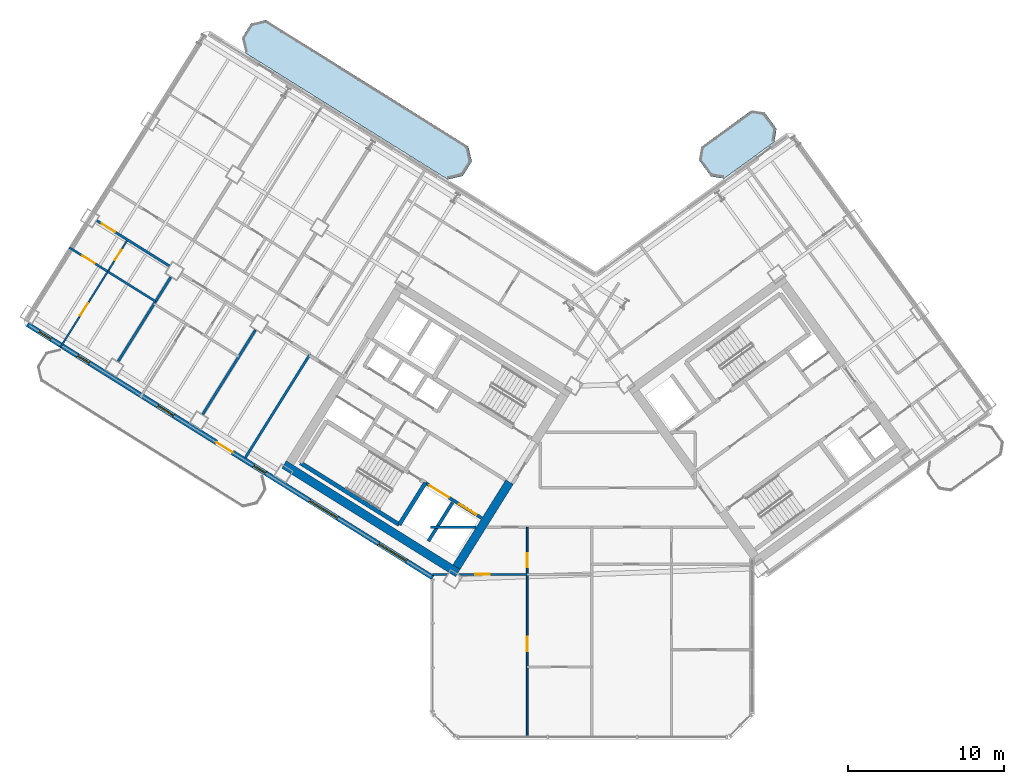
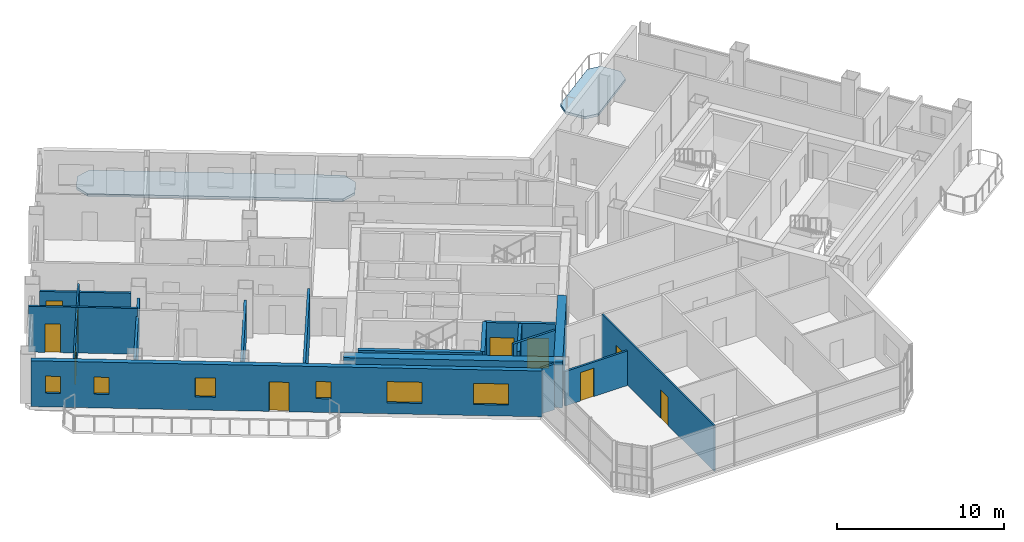
# One storey, part 11 of 21: 18 walls, 10 doors, 6 windows, 2 slabs, 16 openings.
"""IFC4 building model written with IfcOpenShell, lengths in metres."""

import ifcopenshell
import ifcopenshell.guid

model = None  # the IFC model being written
_history = None  # IfcOwnerHistory: only IFC2X3 demands one
_inside = {}  # id of a spatial element -> (the spatial element, [elements in it])
_under = {}  # id of a project, library or spatial element -> (it, [spatial elements below it])
_declared = {}  # id of a project -> (the project, [libraries it declares])
_typed = {}  # id of a type object -> (the type object, [elements of that type])
_made_of = {}  # id of a material, layer set ... -> (it, [elements and type objects made of it])


def new_model(schema):
    """Start an empty IFC model of exactly this schema.

    Asked for "IFC4X3", IfcOpenShell would pick the latest addendum, in which some entities
    have other attributes; the version numbers below select the first issue.
    IFC2X3 requires an IfcOwnerHistory on every rooted entity: one is made here for all.
    """
    global model, _history
    if schema == "IFC4X3":
        model = ifcopenshell.file(schema_version=(4, 3, 0, 0))
    else:
        model = ifcopenshell.file(schema=schema)
    _inside.clear()
    _under.clear()
    _declared.clear()
    _typed.clear()
    _made_of.clear()
    _history = None
    if model.schema == "IFC2X3":
        org = make("IfcOrganization", Name="unknown")
        user = make(
            "IfcPersonAndOrganization",
            ThePerson=make("IfcPerson", FamilyName="unknown"),
            TheOrganization=org,
        )
        app = make(
            "IfcApplication",
            ApplicationDeveloper=org,
            Version="unknown",
            ApplicationFullName="unknown",
            ApplicationIdentifier="unknown",
        )
        _history = make(
            "IfcOwnerHistory",
            OwningUser=user,
            OwningApplication=app,
            ChangeAction="ADDED",
            CreationDate=0,
        )
    return model


def make(cls, **values):
    """One entity of the class cls with the attributes given. An attribute that is None is left unset."""
    return model.create_entity(
        cls, **{name: value for name, value in values.items() if value is not None}
    )


def rooted(cls, **values):
    """An entity with a GlobalId (a new one), such as an element, a storey or a relation."""
    return make(cls, GlobalId=ifcopenshell.guid.new(), OwnerHistory=_history, **values)


def si_unit(unit_type, name, prefix=None):
    """IfcSIUnit, for example si_unit("LENGTHUNIT", "METRE", prefix="MILLI")."""
    return make("IfcSIUnit", UnitType=unit_type, Prefix=prefix, Name=name)


def assignment(units):
    """IfcUnitAssignment: the units of a project."""
    return None if units is None else make("IfcUnitAssignment", Units=units)


def point(xyz):
    """IfcCartesianPoint."""
    return None if xyz is None else make("IfcCartesianPoint", Coordinates=xyz)


def direction(xyz):
    """IfcDirection."""
    return None if xyz is None else make("IfcDirection", DirectionRatios=xyz)


def frame(location, z_axis=None, x_axis=None):
    """IfcAxis2Placement3D, a coordinate frame: its origin and axes. An axis left out is left unset."""
    return make(
        "IfcAxis2Placement3D",
        Location=point(location),
        Axis=direction(z_axis),
        RefDirection=direction(x_axis),
    )


def frame_2d(location, x_axis=None):
    """IfcAxis2Placement2D, a coordinate frame in the plane: its origin and x axis."""
    return make(
        "IfcAxis2Placement2D", Location=point(location), RefDirection=direction(x_axis)
    )


def origin():
    """The frame at (0, 0, 0) with its axes left unset."""
    return frame((0.0, 0.0, 0.0))


def place(relative_to, where):
    """IfcLocalPlacement: puts the frame where relative to a parent placement (None: the world)."""
    return make(
        "IfcLocalPlacement", PlacementRelTo=relative_to, RelativePlacement=where
    )


def context(
    kind, dimensions, precision=None, world=None, true_north=None, identifier=None
):
    """IfcGeometricRepresentationContext, for example the 3D "Model" context."""
    return make(
        "IfcGeometricRepresentationContext",
        ContextIdentifier=identifier,
        ContextType=kind,
        CoordinateSpaceDimension=dimensions,
        Precision=precision,
        WorldCoordinateSystem=world,
        TrueNorth=true_north,
    )


def subcontext(parent, identifier, kind, view, scale=None):
    """IfcGeometricRepresentationSubContext, for example "Body" below "Model"."""
    return make(
        "IfcGeometricRepresentationSubContext",
        ContextIdentifier=identifier,
        ContextType=kind,
        ParentContext=parent,
        TargetScale=scale,
        TargetView=view,
    )


def project(units=None, contexts=None):
    """IfcProject with its units and contexts."""
    return rooted(
        "IfcProject",
        Name="project",
        RepresentationContexts=contexts,
        UnitsInContext=assignment(units),
    )


def spatial(cls, under=None, at=None, **own):
    """A site, building, storey or space (cls), placed at a placement, below another one or the project."""
    s = rooted(cls, ObjectPlacement=at, **own)
    if under is not None:
        _under.setdefault(under.id(), (under, []))[1].append(s)
    return s


def polyline(points):
    """IfcPolyline through the points."""
    return make("IfcPolyline", Points=[point(p) for p in points])


def profile(cls, at=None, kind="AREA", **sizes):
    """A parametric profile (cls). Its sizes go by their IFC names, for example OverallWidth=200.0."""
    return make(cls, ProfileType=kind, Position=at, **sizes)


def rectangle(**sizes):
    """IfcRectangleProfileDef."""
    return profile("IfcRectangleProfileDef", **sizes)


def outline(outer, holes=None, kind="AREA"):
    """IfcArbitraryClosedProfileDef: a profile drawn as a closed curve; with holes, ...WithVoids."""
    if holes is None:
        return make("IfcArbitraryClosedProfileDef", ProfileType=kind, OuterCurve=outer)
    return make(
        "IfcArbitraryProfileDefWithVoids",
        ProfileType=kind,
        OuterCurve=outer,
        InnerCurves=holes,
    )


def extrude(swept, where, along, depth):
    """IfcExtrudedAreaSolid: the profile swept, set in the frame where, extruded along a direction by depth."""
    return make(
        "IfcExtrudedAreaSolid",
        SweptArea=swept,
        Position=where,
        ExtrudedDirection=direction(along),
        Depth=depth,
    )


def shape(context_of_items, identifier, shape_type, items):
    """IfcShapeRepresentation: the items that make up one representation, for example the "Body"."""
    return make(
        "IfcShapeRepresentation",
        ContextOfItems=context_of_items,
        RepresentationIdentifier=identifier,
        RepresentationType=shape_type,
        Items=items,
    )


def source(mapping_origin, context_of_items, identifier, shape_type, items):
    """IfcRepresentationMap: a shape defined once, which mapped items show again and again."""
    return make(
        "IfcRepresentationMap",
        MappingOrigin=mapping_origin,
        MappedRepresentation=shape(context_of_items, identifier, shape_type, items),
    )


def transform(
    local_origin,
    x_axis=None,
    y_axis=None,
    z_axis=None,
    scale=None,
    scale2=None,
    scale3=None,
    uniform=True,
):
    """IfcCartesianTransformationOperator3D, or its non-uniform kind. x_axis, y_axis, z_axis: its Axis1, 2, 3."""
    if uniform:
        return make(
            "IfcCartesianTransformationOperator3D",
            Axis1=direction(x_axis),
            Axis2=direction(y_axis),
            LocalOrigin=point(local_origin),
            Scale=scale,
            Axis3=direction(z_axis),
        )
    return make(
        "IfcCartesianTransformationOperator3DnonUniform",
        Axis1=direction(x_axis),
        Axis2=direction(y_axis),
        LocalOrigin=point(local_origin),
        Scale=scale,
        Axis3=direction(z_axis),
        Scale2=scale2,
        Scale3=scale3,
    )


def mapped(mapping_source, mapping_target):
    """IfcMappedItem: shows the shape of a source again, moved by a transform."""
    return make(
        "IfcMappedItem", MappingSource=mapping_source, MappingTarget=mapping_target
    )


def material(Name=None, Category=None):
    """IfcMaterial."""
    return make("IfcMaterial", Name=Name, Category=Category)


def layer(
    of_material, thickness, ventilated=None, Name=None, Category=None, Priority=None
):
    """IfcMaterialLayer: one layer of a wall or slab, of a material (None: an air gap)."""
    return make(
        "IfcMaterialLayer",
        Material=of_material,
        LayerThickness=thickness,
        IsVentilated=ventilated,
        Name=Name,
        Category=Category,
        Priority=Priority,
    )


def layer_set(layers, Name=None):
    """IfcMaterialLayerSet."""
    return make("IfcMaterialLayerSet", MaterialLayers=layers, LayerSetName=Name)


def made_of(thing, what):
    """Note that an element or type object is made of a material, layer set ...; save() writes the relation."""
    if what is not None:
        _made_of.setdefault(what.id(), (what, []))[1].append(thing)
    return thing


def type_object(cls, material=None, **own):
    """A type object (cls), such as IfcWallType, which elements share."""
    return made_of(rooted(cls, **own), material)


def element(
    cls,
    number,
    at=None,
    inside=None,
    cuts=None,
    type_object=None,
    material=None,
    context=None,
    identifier="Body",
    shape_type=None,
    held_by="IfcProductDefinitionShape",
    body=None,
    shapes=None,
    **own,
):
    """One element of the class cls, such as IfcWall. Its Tag is "e" and its number.

    at: its placement. inside: the storey or other place that contains it. cuts: it is an
    opening in that element (IfcRelVoidsElement). A single representation is given by context,
    identifier, shape_type and body (its items); several are given by shapes. held_by: the class
    of the entity that holds the representations. save() writes the other relations.
    """
    e = rooted(cls, Tag="e%d" % number, ObjectPlacement=at, **own)
    if body is not None:
        shapes = [shape(context, identifier, shape_type, body)]
    if shapes is not None:
        e.Representation = make(held_by, Representations=shapes)
    if inside is not None:
        _inside.setdefault(inside.id(), (inside, []))[1].append(e)
    if cuts is not None:
        rooted(
            "IfcRelVoidsElement", RelatingBuildingElement=cuts, RelatedOpeningElement=e
        )
    if type_object is not None:
        _typed.setdefault(type_object.id(), (type_object, []))[1].append(e)
    return made_of(e, material)


def fill(opening, filler):
    """IfcRelFillsElement: the door or window that sits in an opening."""
    return rooted(
        "IfcRelFillsElement",
        RelatingOpeningElement=opening,
        RelatedBuildingElement=filler,
    )


def aggregate(whole, parts):
    """IfcRelAggregates: a whole, such as a stair, and the parts it consists of."""
    return rooted("IfcRelAggregates", RelatingObject=whole, RelatedObjects=parts)


def save(model, path):
    """Write the relations noted so far, then the file.

    IfcRelAggregates (storeys below a building ...), IfcRelContainedInSpatialStructure (elements
    in a storey), IfcRelDefinesByType, IfcRelAssociatesMaterial and IfcRelDeclares: one each for
    every whole, place, type object, material and project.
    """
    for whole, parts in _under.values():
        aggregate(whole, parts)
    for where, things in _inside.values():
        rooted(
            "IfcRelContainedInSpatialStructure",
            RelatedElements=things,
            RelatingStructure=where,
        )
    for kind, things in _typed.values():
        rooted("IfcRelDefinesByType", RelatedObjects=things, RelatingType=kind)
    for what, things in _made_of.values():
        rooted("IfcRelAssociatesMaterial", RelatedObjects=things, RelatingMaterial=what)
    for by, libraries in _declared.values():
        rooted("IfcRelDeclares", RelatingContext=by, RelatedDefinitions=libraries)
    model.write(path)


model = new_model("IFC4")

# Units and contexts
model_context = context("Model", 3, precision=1e-05, world=origin(), true_north=direction((0.0, 1.0)))
body_context = subcontext(model_context, "Body", "Model", "MODEL_VIEW")
ifc_project = project(units=[si_unit("LENGTHUNIT", "METRE"), si_unit("AREAUNIT", "SQUARE_METRE"), si_unit("VOLUMEUNIT", "CUBIC_METRE"), si_unit("PLANEANGLEUNIT", "RADIAN"), si_unit("MASSUNIT", "GRAM", prefix="KILO")], contexts=[model_context])

# Site, building, storey
site_placement = place(None, origin())
site = spatial("IfcSite", under=ifc_project, at=site_placement, CompositionType="ELEMENT")
building_placement = place(site_placement, origin())
building = spatial("IfcBuilding", under=site, at=building_placement, Name="Tlacorven Tower", CompositionType="ELEMENT")
storey_placement = place(building_placement, frame((0.0, 0.0, 112.5)))
storey = spatial("IfcBuildingStorey", under=building, at=storey_placement, Name="L28", CompositionType="ELEMENT", Elevation=112.5)

# Slabs
ifc_material_1 = material(Name="Precast concrete C45/55", Category="concrete")
ifc_layer_1 = layer(ifc_material_1, 0.179931640625)
ifc_layer_set_1 = layer_set([ifc_layer_1], Name="Precast concrete C45/55")
slab_type = type_object("IfcSlabType", Name="SL-BAL-180", PredefinedType="USERDEFINED", material=ifc_layer_set_1)
slab_1_placement = place(storey_placement, frame((0.0, 0.0, -0.179931640625)))
element("IfcSlab", 1, at=slab_1_placement, inside=storey, type_object=slab_type, Name="L28 West Wing Balcony Ribbon IN", ObjectType="BALCONY SLAB", PredefinedType="USERDEFINED", context=body_context, shape_type="SweptSolid", body=[
    extrude(outline(polyline([(34.0419921875, 39.835693359375), (21.06689453125, 47.943359375), (20.102294921875, 47.720703125), (19.52197265625, 46.7919921875), (19.744873046875, 45.827392578125), (32.719970703125, 37.7197265625), (33.6845703125, 37.9423828125), (34.2646484375, 38.87109375), (34.0419921875, 39.835693359375)])), origin(), (0.0, 0.0, 1.0), 0.179931640625),
])
slab_2_placement = place(storey_placement, frame((0.0, 0.0, -0.179931640625)))
element("IfcSlab", 2, at=slab_2_placement, inside=storey, type_object=slab_type, Name="L28 East Wing Balcony Ribbon IN", ObjectType="BALCONY SLAB", PredefinedType="USERDEFINED", context=body_context, shape_type="SweptSolid", body=[
    extrude(outline(polyline([(50.433837890625, 37.77880859375), (53.669921875, 40.1298828125), (53.802490234375, 40.968017578125), (53.04150390625, 42.015625), (52.203369140625, 42.1484375), (48.96728515625, 39.79736328125), (48.83447265625, 38.959228515625), (49.595703125, 37.91162109375), (50.433837890625, 37.77880859375)])), origin(), (0.0, 0.0, 1.0), 0.179931640625),
])

# Walls
ifc_material_2 = material(Name="Concrete C60/75", Category="concrete")
ifc_layer_2 = layer(ifc_material_2, 0.550048828125)
ifc_layer_set_2 = layer_set([ifc_layer_2], Name="Concrete C60/75")
wall_type_1 = type_object("IfcWallType", Name="WL-COR-550", PredefinedType="SHEAR", material=ifc_layer_set_2)
wall_1_placement = place(storey_placement, frame((33.3662109375, 12.4765625, 0.0), z_axis=(0.0, 0.0, 1.0), x_axis=(-0.848047359947, 0.529920442413, 0.0)))
element("IfcWall", 3, at=wall_1_placement, inside=storey, type_object=wall_type_1, Name="L28 W core shear wall S2", PredefinedType="SHEAR", context=body_context, shape_type="SweptSolid", body=[
    extrude(rectangle(XDim=13.139892578125, YDim=0.550048828125, at=frame_2d((6.56982421875, 0.0))), origin(), (0.0, 0.0, 1.0), 3.35009765625),
])
wall_2_placement = place(storey_placement, frame((36.683349609375, 18.30419921875, 0.0), z_axis=(0.0, 0.0, 1.0), x_axis=(-0.529896466841, -0.848062341122, 0.0)))
element("IfcWall", 4, at=wall_2_placement, inside=storey, type_object=wall_type_1, Name="L28 W core end wall E1.2", PredefinedType="SHEAR", context=body_context, shape_type="SweptSolid", body=[
    extrude(rectangle(XDim=6.4248046875, YDim=0.550048828125, at=frame_2d((3.21240234375, 0.0))), origin(), (0.0, 0.0, 1.0), 3.35009765625),
])
ifc_material_3 = material(Name="Gypsum plasterboard acoustic partition", Category="gypsum")
ifc_layer_3 = layer(ifc_material_3, 0.159912109375)
ifc_layer_set_3 = layer_set([ifc_layer_3], Name="Gypsum plasterboard acoustic partition")
wall_type_2 = type_object("IfcWallType", Name="WL-DEM-160", PredefinedType="PARTITIONING", material=ifc_layer_set_3)
wall_3_placement = place(storey_placement, frame((23.899169921875, 26.528564453125, 0.0), z_axis=(0.0, 0.0, 1.0), x_axis=(-0.529920662441, -0.848047222457, 0.0)))
element("IfcWall", 5, at=wall_3_placement, inside=storey, type_object=wall_type_2, Name="L28 partition 48", PredefinedType="PARTITIONING", context=body_context, shape_type="SweptSolid", body=[
    extrude(rectangle(XDim=7.85009765625, YDim=0.159912109375, at=frame_2d((3.925048828125, 0.0))), origin(), (0.0, 0.0, 1.0), 3.340087890625),
])

# Wall, opening, door
wall_4_placement = place(storey_placement, frame((14.86572265625, 32.173095703125, 0.0), z_axis=(0.0, 0.0, 1.0), x_axis=(-0.848053401719, 0.529910773464, 0.0)))
wall_4 = element("IfcWall", 6, at=wall_4_placement, inside=storey, type_object=wall_type_2, Name="L28 Wing W Corridor North Wall", PredefinedType="PARTITIONING", context=body_context, shape_type="SweptSolid", body=[
    extrude(rectangle(XDim=5.47607421875, YDim=0.159912109375, at=frame_2d((2.738037109375, 0.0))), origin(), (0.0, 0.0, 1.0), 2.77490234375),
])
opening_1_placement = place(wall_4_placement, frame((4.10791015625, 0.0, 0.0)))
opening_1 = element("IfcOpeningElement", 7, at=opening_1_placement, cuts=wall_4, Name="Opening D11", PredefinedType="OPENING", context=body_context, shape_type="SweptSolid", body=[
    extrude(rectangle(XDim=1.0, YDim=2.10009765625, at=frame_2d((0.5, 1.050048828125))), frame((0.0, 0.08984375, 0.0), z_axis=(0.0, -1.0, 0.0), x_axis=(1.0, 0.0, 0.0)), (0.0, 0.0, 1.0), 0.179931640625),
])
ifc_material_4 = material(Name="Fire-rated steel door assembly", Category="steel")
door_type_1 = type_object("IfcDoorType", Name="DR-FLT-FD60-1000", OperationType="NOTDEFINED", PredefinedType="DOOR", material=ifc_material_4)
shared_shape_1 = source(origin(), body_context, "Body", "SweptSolid", [
    extrude(rectangle(XDim=1.0, YDim=2.10009765625, at=frame_2d((0.5, 1.050048828125))), frame((0.0, 0.02490234375, 0.0), z_axis=(0.0, -1.0, 0.0), x_axis=(1.0, 0.0, 0.0)), (0.0, 0.0, 1.0), 0.050048828125),
])
door_1_placement = place(opening_1_placement, origin())
door_1 = element("IfcDoor", 8, at=door_1_placement, inside=storey, type_object=door_type_1, Name="L28 door 030", OperationType="SINGLE_SWING_LEFT", OverallHeight=2.10009765625, OverallWidth=1.0, PredefinedType="DOOR", context=body_context, shape_type="MappedRepresentation", body=[
    mapped(shared_shape_1, transform((0.0, 0.0, 0.0), scale=1.0)),
])
fill(opening_1, door_1)

# Walls
for number, where, z_axis, x_axis, name in (
    (9, (20.38720703125, 28.060302734375, 0.0), (0.0, 0.0, 1.0), (-0.529902564924, -0.848058530814, 0.0), "L28 WN Demising Wall 1"),
    (10, (14.959716796875, 31.45166015625, 0.0), (0.0, 0.0, 1.0), (-0.529947310719, -0.848030570122, 0.0), "L28 WN Demising Wall 2"),
):
    element("IfcWall", number, at=place(storey_placement, frame(where, z_axis=z_axis, x_axis=x_axis)), inside=storey, type_object=wall_type_2, Name=name, PredefinedType="PARTITIONING", context=body_context, shape_type="SweptSolid", body=[
        extrude(rectangle(XDim=6.3759765625, YDim=0.159912109375, at=frame_2d((3.18798828125, 0.0))), origin(), (0.0, 0.0, 1.0), 2.77490234375),
    ])
wall_5_placement = place(storey_placement, frame((31.60009765625, 15.419921875, 0.0), z_axis=(0.0, 0.0, 1.0), x_axis=(1.0, 0.0, 0.0)))
element("IfcWall", 11, at=wall_5_placement, inside=storey, type_object=wall_type_2, Name="L28 Knuckle Corridor South Wall", PredefinedType="PARTITIONING", context=body_context, shape_type="SweptSolid", body=[
    extrude(rectangle(XDim=2.925048828125, YDim=0.159912109375, at=frame_2d((1.46240234375, 0.0))), origin(), (0.0, 0.0, 1.0), 3.340087890625),
])

# Wall, openings, door, windows
ifc_layer_4 = layer(ifc_material_1, 0.320068359375)
ifc_layer_set_4 = layer_set([ifc_layer_4], Name="Precast concrete C45/55")
wall_type_3 = type_object("IfcWallType", Name="WL-EXT-320", PredefinedType="STANDARD", material=ifc_layer_set_4)
wall_6_placement = place(storey_placement, frame((31.760009765625, 12.18310546875, 0.0), z_axis=(0.0, 0.0, 1.0), x_axis=(-0.848047074256, 0.529920899612, 0.0)))
wall_6 = element("IfcWall", 12, at=wall_6_placement, inside=storey, type_object=wall_type_3, Name="L28 Masonry-Frame Recessed Facade Wall 1", PredefinedType="STANDARD", context=body_context, shape_type="SweptSolid", body=[
    extrude(rectangle(XDim=30.652099609375, YDim=0.320068359375, at=frame_2d((15.326171875, 0.0))), origin(), (0.0, 0.0, 1.0), 3.35009765625),
])
opening_2_placement = place(wall_6_placement, frame((15.1533203125, 0.0, 0.0)))
opening_2 = element("IfcOpeningElement", 13, at=opening_2_placement, cuts=wall_6, Name="Opening D05", PredefinedType="OPENING", context=body_context, shape_type="SweptSolid", body=[
    extrude(rectangle(XDim=1.199951171875, YDim=2.14990234375, at=frame_2d((0.60009765625, 1.074951171875))), frame((0.0, 0.169921875, 0.0), z_axis=(0.0, -1.0, 0.0), x_axis=(1.0, 0.0, 0.0)), (0.0, 0.0, 1.0), 0.340087890625),
])
opening_3_placement = place(wall_6_placement, frame((2.002197265625, 0.0, 0.800048828125)))
opening_3 = element("IfcOpeningElement", 14, at=opening_3_placement, cuts=wall_6, Name="Opening WN04", PredefinedType="OPENING", context=body_context, shape_type="SweptSolid", body=[
    extrude(rectangle(XDim=2.10009765625, YDim=1.550048828125, at=frame_2d((1.050048828125, 0.77490234375))), frame((0.0, 0.169921875, 0.0), z_axis=(0.0, -1.0, 0.0), x_axis=(1.0, 0.0, 0.0)), (0.0, 0.0, 1.0), 0.340087890625),
])
opening_4_placement = place(wall_6_placement, frame((7.206298828125, 0.0, 0.800048828125)))
opening_4 = element("IfcOpeningElement", 15, at=opening_4_placement, cuts=wall_6, Name="Opening WN04", PredefinedType="OPENING", context=body_context, shape_type="SweptSolid", body=[
    extrude(rectangle(XDim=2.10009765625, YDim=1.550048828125, at=frame_2d((1.050048828125, 0.77490234375))), frame((0.0, 0.169921875, 0.0), z_axis=(0.0, -1.0, 0.0), x_axis=(1.0, 0.0, 0.0)), (0.0, 0.0, 1.0), 0.340087890625),
])
opening_5_placement = place(wall_6_placement, frame((12.648193359375, 0.0, 1.0)))
opening_5 = element("IfcOpeningElement", 16, at=opening_5_placement, cuts=wall_6, Name="Opening WN05", PredefinedType="OPENING", context=body_context, shape_type="SweptSolid", body=[
    extrude(rectangle(XDim=0.89990234375, YDim=1.25, at=frame_2d((0.449951171875, 0.625))), frame((0.0, 0.169921875, 0.0), z_axis=(0.0, -1.0, 0.0), x_axis=(1.0, 0.0, 0.0)), (0.0, 0.0, 1.0), 0.340087890625),
])
opening_6_placement = place(wall_6_placement, frame((19.58984375, 0.0, 0.949951171875)))
opening_6 = element("IfcOpeningElement", 17, at=opening_6_placement, cuts=wall_6, Name="Opening WN03", PredefinedType="OPENING", context=body_context, shape_type="SweptSolid", body=[
    extrude(rectangle(XDim=1.199951171875, YDim=1.39990234375, at=frame_2d((0.60009765625, 0.699951171875))), frame((0.0, 0.169921875, 0.0), z_axis=(0.0, -1.0, 0.0), x_axis=(1.0, 0.0, 0.0)), (0.0, 0.0, 1.0), 0.340087890625),
])
opening_7_placement = place(wall_6_placement, frame((25.9658203125, 0.0, 1.0)))
opening_7 = element("IfcOpeningElement", 18, at=opening_7_placement, cuts=wall_6, Name="Opening WN05", PredefinedType="OPENING", context=body_context, shape_type="SweptSolid", body=[
    extrude(rectangle(XDim=0.89990234375, YDim=1.25, at=frame_2d((0.449951171875, 0.625))), frame((0.0, 0.169921875, 0.0), z_axis=(0.0, -1.0, 0.0), x_axis=(1.0, 0.0, 0.0)), (0.0, 0.0, 1.0), 0.340087890625),
])
opening_8_placement = place(wall_6_placement, frame((28.870849609375, 0.0, 1.0)))
opening_8 = element("IfcOpeningElement", 19, at=opening_8_placement, cuts=wall_6, Name="Opening WN05", PredefinedType="OPENING", context=body_context, shape_type="SweptSolid", body=[
    extrude(rectangle(XDim=0.89990234375, YDim=1.25, at=frame_2d((0.449951171875, 0.625))), frame((0.0, 0.169921875, 0.0), z_axis=(0.0, -1.0, 0.0), x_axis=(1.0, 0.0, 0.0)), (0.0, 0.0, 1.0), 0.340087890625),
])
ifc_material_5 = material(Name="Powder-coated aluminium and timber door", Category="wood")
door_type_2 = type_object("IfcDoorType", Name="DR-EXT-BALC-1200", OperationType="NOTDEFINED", PredefinedType="DOOR", material=ifc_material_5)
shared_shape_2 = source(origin(), body_context, "Body", "SweptSolid", [
    extrude(rectangle(XDim=1.199951171875, YDim=2.14990234375, at=frame_2d((0.60009765625, 1.074951171875))), frame((0.0, 0.02490234375, 0.0), z_axis=(0.0, -1.0, 0.0), x_axis=(1.0, 0.0, 0.0)), (0.0, 0.0, 1.0), 0.050048828125),
])
door_2_placement = place(opening_2_placement, origin())
door_2 = element("IfcDoor", 20, at=door_2_placement, inside=storey, type_object=door_type_2, Name="L28 Outdoor Access Door BAL-L28-W-OUT", OperationType="SINGLE_SWING_LEFT", OverallHeight=2.14990234375, OverallWidth=1.199951171875, PredefinedType="DOOR", context=body_context, shape_type="MappedRepresentation", body=[
    mapped(shared_shape_2, transform((0.0, 0.0, 0.0), scale=1.0)),
])
fill(opening_2, door_2)
ifc_material_6 = material(Name="Dark solar low-E double glazing in anodised aluminium frame", Category="aluminium")
window_type_1 = type_object("IfcWindowType", Name="WN-APT-2100X1750", PartitioningType="SINGLE_PANEL", PredefinedType="WINDOW", material=ifc_material_6)
shared_shape_3 = source(origin(), body_context, "Body", "SweptSolid", [
    extrude(rectangle(XDim=2.10009765625, YDim=1.550048828125, at=frame_2d((1.050048828125, 0.77490234375))), frame((0.0, 0.030029296875, 0.0), z_axis=(0.0, -1.0, 0.0), x_axis=(1.0, 0.0, 0.0)), (0.0, 0.0, 1.0), 0.06005859375),
])
window_1_placement = place(opening_3_placement, origin())
window_1 = element("IfcWindow", 21, at=window_1_placement, inside=storey, type_object=window_type_1, Name="L28 Recessed Masonry-Frame Window L28-01.1", OverallHeight=1.550048828125, OverallWidth=2.10009765625, PartitioningType="SINGLE_PANEL", PredefinedType="WINDOW", context=body_context, shape_type="MappedRepresentation", body=[
    mapped(shared_shape_3, transform((0.0, 0.0, 0.0), scale=1.0)),
])
fill(opening_3, window_1)
window_2_placement = place(opening_4_placement, origin())
window_2 = element("IfcWindow", 22, at=window_2_placement, inside=storey, type_object=window_type_1, Name="L28 Recessed Masonry-Frame Window L28-01.2", OverallHeight=1.550048828125, OverallWidth=2.10009765625, PartitioningType="SINGLE_PANEL", PredefinedType="WINDOW", context=body_context, shape_type="MappedRepresentation", body=[
    mapped(shared_shape_3, transform((0.0, 0.0, 0.0), scale=1.0)),
])
fill(opening_4, window_2)
window_type_2 = type_object("IfcWindowType", Name="WN-APT-1200X1500", PartitioningType="SINGLE_PANEL", PredefinedType="WINDOW", material=ifc_material_6)
shared_shape_4 = source(origin(), body_context, "Body", "SweptSolid", [
    extrude(rectangle(XDim=1.199951171875, YDim=1.39990234375, at=frame_2d((0.60009765625, 0.699951171875))), frame((0.0, 0.030029296875, 0.0), z_axis=(0.0, -1.0, 0.0), x_axis=(1.0, 0.0, 0.0)), (0.0, 0.0, 1.0), 0.06005859375),
])
window_3_placement = place(opening_6_placement, origin())
window_3 = element("IfcWindow", 23, at=window_3_placement, inside=storey, type_object=window_type_2, Name="L28 Recessed Masonry-Frame Window L28-01.4", OverallHeight=1.39990234375, OverallWidth=1.199951171875, PartitioningType="SINGLE_PANEL", PredefinedType="WINDOW", context=body_context, shape_type="MappedRepresentation", body=[
    mapped(shared_shape_4, transform((0.0, 0.0, 0.0), scale=1.0)),
])
fill(opening_6, window_3)
window_type_3 = type_object("IfcWindowType", Name="WN-APT-0900X1350", PartitioningType="SINGLE_PANEL", PredefinedType="WINDOW", material=ifc_material_6)
shared_shape_5 = source(origin(), body_context, "Body", "SweptSolid", [
    extrude(rectangle(XDim=0.89990234375, YDim=1.25, at=frame_2d((0.449951171875, 0.625))), frame((0.0, 0.030029296875, 0.0), z_axis=(0.0, -1.0, 0.0), x_axis=(1.0, 0.0, 0.0)), (0.0, 0.0, 1.0), 0.06005859375),
])
window_4_placement = place(opening_5_placement, origin())
window_4 = element("IfcWindow", 24, at=window_4_placement, inside=storey, type_object=window_type_3, Name="L28 Recessed Masonry-Frame Window L28-01.3", OverallHeight=1.25, OverallWidth=0.89990234375, PartitioningType="SINGLE_PANEL", PredefinedType="WINDOW", context=body_context, shape_type="MappedRepresentation", body=[
    mapped(shared_shape_5, transform((0.0, 0.0, 0.0), scale=1.0)),
])
fill(opening_5, window_4)
window_5_placement = place(opening_7_placement, origin())
window_5 = element("IfcWindow", 25, at=window_5_placement, inside=storey, type_object=window_type_3, Name="L28 Recessed Masonry-Frame Window L28-01.5", OverallHeight=1.25, OverallWidth=0.89990234375, PartitioningType="SINGLE_PANEL", PredefinedType="WINDOW", context=body_context, shape_type="MappedRepresentation", body=[
    mapped(shared_shape_5, transform((0.0, 0.0, 0.0), scale=1.0)),
])
fill(opening_7, window_5)
window_6_placement = place(opening_8_placement, origin())
window_6 = element("IfcWindow", 26, at=window_6_placement, inside=storey, type_object=window_type_3, Name="L28 Recessed Masonry-Frame Window L28-01.6", OverallHeight=1.25, OverallWidth=0.89990234375, PartitioningType="SINGLE_PANEL", PredefinedType="WINDOW", context=body_context, shape_type="MappedRepresentation", body=[
    mapped(shared_shape_5, transform((0.0, 0.0, 0.0), scale=1.0)),
])
fill(opening_8, window_6)

# Wall, openings, doors
ifc_material_7 = material(Name="Gypsum plasterboard partition", Category="gypsum")
ifc_layer_5 = layer(ifc_material_7, 0.110107421875)
ifc_layer_set_5 = layer_set([ifc_layer_5], Name="Gypsum plasterboard partition")
wall_type_4 = type_object("IfcWallType", Name="WL-INT-110", PredefinedType="PARTITIONING", material=ifc_layer_set_5)
wall_7_placement = place(storey_placement, frame((12.1875, 33.8466796875, 0.0), z_axis=(0.0, 0.0, 1.0), x_axis=(-0.529917860021, -0.848048973604, 0.0)))
wall_7 = element("IfcWall", 27, at=wall_7_placement, inside=storey, type_object=wall_type_4, Name="L28 partition 57", PredefinedType="PARTITIONING", context=body_context, shape_type="SweptSolid", body=[
    extrude(rectangle(XDim=8.1201171875, YDim=0.110107421875, at=frame_2d((4.06005859375, 0.0))), origin(), (0.0, 0.0, 1.0), 3.340087890625),
])
opening_9_placement = place(wall_7_placement, frame((0.760009765625, 0.0, 0.0)))
opening_9 = element("IfcOpeningElement", 28, at=opening_9_placement, cuts=wall_7, Name="Opening D22", PredefinedType="OPENING", context=body_context, shape_type="SweptSolid", body=[
    extrude(rectangle(XDim=0.780029296875, YDim=2.050048828125, at=frame_2d((0.39013671875, 1.02490234375))), frame((0.0, 0.06494140625, 0.0), z_axis=(0.0, -1.0, 0.0), x_axis=(1.0, 0.0, 0.0)), (0.0, 0.0, 1.0), 0.130126953125),
])
opening_10_placement = place(wall_7_placement, frame((4.800048828125, 0.0, 0.0)))
opening_10 = element("IfcOpeningElement", 29, at=opening_10_placement, cuts=wall_7, Name="Opening D12", PredefinedType="OPENING", context=body_context, shape_type="SweptSolid", body=[
    extrude(rectangle(XDim=0.919921875, YDim=2.080078125, at=frame_2d((0.4599609375, 1.0400390625))), frame((0.0, 0.06494140625, 0.0), z_axis=(0.0, -1.0, 0.0), x_axis=(1.0, 0.0, 0.0)), (0.0, 0.0, 1.0), 0.130126953125),
])
door_type_3 = type_object("IfcDoorType", Name="DR-INT-WET-0780", OperationType="NOTDEFINED", PredefinedType="DOOR", material=ifc_material_5)
shared_shape_6 = source(origin(), body_context, "Body", "SweptSolid", [
    extrude(rectangle(XDim=0.780029296875, YDim=2.050048828125, at=frame_2d((0.39013671875, 1.02490234375))), frame((0.0, 0.02490234375, 0.0), z_axis=(0.0, -1.0, 0.0), x_axis=(1.0, 0.0, 0.0)), (0.0, 0.0, 1.0), 0.050048828125),
])
door_3_placement = place(opening_9_placement, origin())
door_3 = element("IfcDoor", 30, at=door_3_placement, inside=storey, type_object=door_type_3, Name="L28 door 032", OperationType="SINGLE_SWING_LEFT", OverallHeight=2.050048828125, OverallWidth=0.780029296875, PredefinedType="DOOR", context=body_context, shape_type="MappedRepresentation", body=[
    mapped(shared_shape_6, transform((0.0, 0.0, 0.0), scale=1.0)),
])
fill(opening_9, door_3)
door_type_4 = type_object("IfcDoorType", Name="DR-INT-ROOM-0920", OperationType="NOTDEFINED", PredefinedType="DOOR", material=ifc_material_5)
shared_shape_7 = source(origin(), body_context, "Body", "SweptSolid", [
    extrude(rectangle(XDim=0.919921875, YDim=2.080078125, at=frame_2d((0.4599609375, 1.0400390625))), frame((0.0, 0.02490234375, 0.0), z_axis=(0.0, -1.0, 0.0), x_axis=(1.0, 0.0, 0.0)), (0.0, 0.0, 1.0), 0.050048828125),
])
door_4_placement = place(opening_10_placement, origin())
door_4 = element("IfcDoor", 31, at=door_4_placement, inside=storey, type_object=door_type_4, Name="L28 door 033", OperationType="SINGLE_SWING_RIGHT", OverallHeight=2.080078125, OverallWidth=0.919921875, PredefinedType="DOOR", context=body_context, shape_type="MappedRepresentation", body=[
    mapped(shared_shape_7, transform((0.0, 0.0, 0.0), scale=1.0)),
])
fill(opening_10, door_4)

wall_8_placement = place(storey_placement, frame((37.81298828125, 1.9599609375, 0.0), z_axis=(0.0, 0.0, 1.0), x_axis=(0.0, 1.0, 0.0)))
wall_8 = element("IfcWall", 32, at=wall_8_placement, inside=storey, type_object=wall_type_4, Name="L28 partition 81", PredefinedType="PARTITIONING", context=body_context, shape_type="SweptSolid", body=[
    extrude(rectangle(XDim=13.4599609375, YDim=0.110107421875, at=frame_2d((6.72998046875, 0.0))), origin(), (0.0, 0.0, 1.0), 3.340087890625),
])
opening_11_placement = place(wall_8_placement, frame((5.5, 0.0, 0.0)))
opening_11 = element("IfcOpeningElement", 33, at=opening_11_placement, cuts=wall_8, Name="Opening D12", PredefinedType="OPENING", context=body_context, shape_type="SweptSolid", body=[
    extrude(rectangle(XDim=0.919921875, YDim=2.080078125, at=frame_2d((0.4599609375, 1.0400390625))), frame((0.0, 0.06494140625, 0.0), z_axis=(0.0, -1.0, 0.0), x_axis=(1.0, 0.0, 0.0)), (0.0, 0.0, 1.0), 0.130126953125),
])
opening_12_placement = place(wall_8_placement, frame((10.889892578125, 0.0, 0.0)))
opening_12 = element("IfcOpeningElement", 34, at=opening_12_placement, cuts=wall_8, Name="Opening D13", PredefinedType="OPENING", context=body_context, shape_type="SweptSolid", body=[
    extrude(rectangle(XDim=0.8798828125, YDim=2.080078125, at=frame_2d((0.43994140625, 1.0400390625))), frame((0.0, 0.06494140625, 0.0), z_axis=(0.0, -1.0, 0.0), x_axis=(1.0, 0.0, 0.0)), (0.0, 0.0, 1.0), 0.130126953125),
])
door_type_5 = type_object("IfcDoorType", Name="DR-INT-WET-0880", OperationType="NOTDEFINED", PredefinedType="DOOR", material=ifc_material_5)
shared_shape_8 = source(origin(), body_context, "Body", "SweptSolid", [
    extrude(rectangle(XDim=0.8798828125, YDim=2.080078125, at=frame_2d((0.43994140625, 1.0400390625))), frame((0.0, 0.02490234375, 0.0), z_axis=(0.0, -1.0, 0.0), x_axis=(1.0, 0.0, 0.0)), (0.0, 0.0, 1.0), 0.050048828125),
])
door_5_placement = place(opening_12_placement, origin())
door_5 = element("IfcDoor", 35, at=door_5_placement, inside=storey, type_object=door_type_5, Name="L28 door 053", OperationType="SINGLE_SWING_RIGHT", OverallHeight=2.080078125, OverallWidth=0.8798828125, PredefinedType="DOOR", context=body_context, shape_type="MappedRepresentation", body=[
    mapped(shared_shape_8, transform((0.0, 0.0, 0.0), scale=1.0)),
])
fill(opening_12, door_5)
door_6_placement = place(opening_11_placement, origin())
door_6 = element("IfcDoor", 36, at=door_6_placement, inside=storey, type_object=door_type_4, Name="L28 door 049", OperationType="SINGLE_SWING_RIGHT", OverallHeight=2.080078125, OverallWidth=0.919921875, PredefinedType="DOOR", context=body_context, shape_type="MappedRepresentation", body=[
    mapped(shared_shape_7, transform((0.0, 0.0, 0.0), scale=1.0)),
])
fill(opening_11, door_6)

# Wall, opening, door
ifc_material_8 = material(Name="Moisture-resistant gypsum plumbing wall", Category="gypsum")
ifc_layer_6 = layer(ifc_material_8, 0.139892578125)
ifc_layer_set_6 = layer_set([ifc_layer_6], Name="Moisture-resistant gypsum plumbing wall")
wall_type_5 = type_object("IfcWallType", Name="WL-PLM-140", PredefinedType="PLUMBINGWALL", material=ifc_layer_set_6)
wall_9_placement = place(storey_placement, frame((10.915771484375, 31.811279296875, 0.0), z_axis=(0.0, 0.0, 1.0), x_axis=(-0.84802195137, 0.529961102341, 0.0)))
wall_9 = element("IfcWall", 37, at=wall_9_placement, inside=storey, type_object=wall_type_5, Name="L28 partition 59", PredefinedType="PLUMBINGWALL", context=body_context, shape_type="SweptSolid", body=[
    extrude(rectangle(XDim=2.89990234375, YDim=0.139892578125, at=frame_2d((1.449951171875, 0.0))), origin(), (0.0, 0.0, 1.0), 3.340087890625),
])
opening_13_placement = place(wall_9_placement, frame((0.989990234375, 0.0, 0.0)))
opening_13 = element("IfcOpeningElement", 38, at=opening_13_placement, cuts=wall_9, Name="Opening D12", PredefinedType="OPENING", context=body_context, shape_type="SweptSolid", body=[
    extrude(rectangle(XDim=0.919921875, YDim=2.080078125, at=frame_2d((0.4599609375, 1.0400390625))), frame((0.0, 0.080078125, 0.0), z_axis=(0.0, -1.0, 0.0), x_axis=(1.0, 0.0, 0.0)), (0.0, 0.0, 1.0), 0.159912109375),
])
door_7_placement = place(opening_13_placement, origin())
door_7 = element("IfcDoor", 39, at=door_7_placement, inside=storey, type_object=door_type_4, Name="L28 door 031", OperationType="SINGLE_SWING_RIGHT", OverallHeight=2.080078125, OverallWidth=0.919921875, PredefinedType="DOOR", context=body_context, shape_type="MappedRepresentation", body=[
    mapped(shared_shape_7, transform((0.0, 0.0, 0.0), scale=1.0)),
])
fill(opening_13, door_7)

# Walls
wall_10_placement = place(storey_placement, frame((13.985595703125, 29.89306640625, 0.0), z_axis=(0.0, 0.0, 1.0), x_axis=(-0.848051346257, 0.52991406295, 0.0)))
element("IfcWall", 40, at=wall_10_placement, inside=storey, type_object=wall_type_5, Name="L28 partition 60", PredefinedType="PLUMBINGWALL", context=body_context, shape_type="SweptSolid", body=[
    extrude(rectangle(XDim=3.619873046875, YDim=0.139892578125, at=frame_2d((1.81005859375, 0.0))), origin(), (0.0, 0.0, 1.0), 3.340087890625),
])
wall_11_placement = place(storey_placement, frame((31.739990234375, 12.389892578125, 0.0), z_axis=(0.0, 0.0, 1.0), x_axis=(1.0, 0.0, 0.0)))
element("IfcWall", 41, at=wall_11_placement, inside=storey, type_object=wall_type_5, Name="L28 partition 82", PredefinedType="PLUMBINGWALL", context=body_context, shape_type="SweptSolid", body=[
    extrude(rectangle(XDim=0.95068359375, YDim=0.139892578125, at=frame_2d((0.475341796875, 0.0))), origin(), (0.0, 0.0, 1.0), 3.340087890625),
])

# Wall, opening, door
wall_12_placement = place(storey_placement, frame((33.432861328125, 12.389892578125, 0.0), z_axis=(0.0, 0.0, 1.0), x_axis=(1.0, 0.0, 0.0)))
wall_12 = element("IfcWall", 42, at=wall_12_placement, inside=storey, type_object=wall_type_5, Name="L28 partition 82", PredefinedType="PLUMBINGWALL", context=body_context, shape_type="SweptSolid", body=[
    extrude(rectangle(XDim=4.380126953125, YDim=0.139892578125, at=frame_2d((2.18994140625, 0.0))), origin(), (0.0, 0.0, 1.0), 2.52490234375),
])
opening_14_placement = place(wall_12_placement, frame((1.063720703125, 0.0, 0.0)))
opening_14 = element("IfcOpeningElement", 43, at=opening_14_placement, cuts=wall_12, Name="Opening D12", PredefinedType="OPENING", context=body_context, shape_type="SweptSolid", body=[
    extrude(rectangle(XDim=0.919921875, YDim=2.080078125, at=frame_2d((0.4599609375, 1.0400390625))), frame((0.0, 0.080078125, 0.0), z_axis=(0.0, -1.0, 0.0), x_axis=(1.0, 0.0, 0.0)), (0.0, 0.0, 1.0), 0.159912109375),
])
door_8_placement = place(opening_14_placement, frame((0.919921875, 0.0, 0.0), z_axis=(0.0, 0.0, 1.0), x_axis=(-1.0, 0.0, 0.0)))
door_8 = element("IfcDoor", 44, at=door_8_placement, inside=storey, type_object=door_type_4, Name="L28 door 052", OperationType="SINGLE_SWING_RIGHT", OverallHeight=2.080078125, OverallWidth=0.919921875, PredefinedType="DOOR", context=body_context, shape_type="MappedRepresentation", body=[
    mapped(shared_shape_7, transform((0.0, 0.0, 0.0), scale=1.0)),
])
fill(opening_14, door_8)

# Wall, openings, doors
ifc_material_9 = material(Name="Concrete C40/50", Category="concrete")
ifc_layer_7 = layer(ifc_material_9, 0.199951171875)
ifc_layer_set_7 = layer_set([ifc_layer_7], Name="Concrete C40/50")
wall_type_6 = type_object("IfcWallType", Name="WL-SHF-200", PredefinedType="STANDARD", material=ifc_layer_set_7)
wall_13_placement = place(storey_placement, frame((34.890625, 16.0048828125, 0.0), z_axis=(0.0, 0.0, 1.0), x_axis=(-0.848062873452, 0.529895614884, 0.0)))
wall_13 = element("IfcWall", 45, at=wall_13_placement, inside=storey, type_object=wall_type_6, Name="L28 Core W Firefighting Lift Shaft Front Wall", PredefinedType="STANDARD", context=body_context, shape_type="SweptSolid", body=[
    extrude(rectangle(XDim=4.248046875, YDim=0.199951171875, at=frame_2d((2.1240234375, 0.0))), origin(), (0.0, 0.0, 1.0), 3.340087890625),
])
opening_15_placement = place(wall_13_placement, frame((0.39794921875, 0.0, 0.0)))
opening_15 = element("IfcOpeningElement", 46, at=opening_15_placement, cuts=wall_13, Name="Opening LD03", PredefinedType="OPENING", context=body_context, shape_type="SweptSolid", body=[
    extrude(rectangle(XDim=1.300048828125, YDim=2.199951171875, at=frame_2d((0.64990234375, 1.10009765625))), frame((0.0, 0.10986328125, 0.0), z_axis=(0.0, -1.0, 0.0), x_axis=(1.0, 0.0, 0.0)), (0.0, 0.0, 1.0), 0.219970703125),
])
opening_16_placement = place(wall_13_placement, frame((2.472900390625, 0.0, 0.0)))
opening_16 = element("IfcOpeningElement", 47, at=opening_16_placement, cuts=wall_13, Name="Opening LD04", PredefinedType="OPENING", context=body_context, shape_type="SweptSolid", body=[
    extrude(rectangle(XDim=1.449951171875, YDim=2.25, at=frame_2d((0.72509765625, 1.125))), frame((0.0, 0.10986328125, 0.0), z_axis=(0.0, -1.0, 0.0), x_axis=(1.0, 0.0, 0.0)), (0.0, 0.0, 1.0), 0.219970703125),
])
door_type_6 = type_object("IfcDoorType", Name="DR-LFT-SLID-1300", OperationType="DOUBLE_DOOR_SLIDING", PredefinedType="DOOR", material=ifc_material_4)
shared_shape_9 = source(origin(), body_context, "Body", "SweptSolid", [
    extrude(rectangle(XDim=1.300048828125, YDim=2.199951171875, at=frame_2d((0.64990234375, 1.10009765625))), frame((0.0, 0.02490234375, 0.0), z_axis=(0.0, -1.0, 0.0), x_axis=(1.0, 0.0, 0.0)), (0.0, 0.0, 1.0), 0.050048828125),
])
door_9_placement = place(opening_15_placement, origin())
door_9 = element("IfcDoor", 48, at=door_9_placement, inside=storey, type_object=door_type_6, Name="L28 Lift FFL-W1 Sliding Landing Door", OperationType="DOUBLE_DOOR_SLIDING", OverallHeight=2.199951171875, OverallWidth=1.300048828125, PredefinedType="DOOR", context=body_context, shape_type="MappedRepresentation", body=[
    mapped(shared_shape_9, transform((0.0, 0.0, 0.0), scale=1.0)),
])
fill(opening_15, door_9)
door_type_7 = type_object("IfcDoorType", Name="DR-LFT-SLID-1450", OperationType="DOUBLE_DOOR_SLIDING", PredefinedType="DOOR", material=ifc_material_4)
shared_shape_10 = source(origin(), body_context, "Body", "SweptSolid", [
    extrude(rectangle(XDim=1.449951171875, YDim=2.25, at=frame_2d((0.72509765625, 1.125))), frame((0.0, 0.02490234375, 0.0), z_axis=(0.0, -1.0, 0.0), x_axis=(1.0, 0.0, 0.0)), (0.0, 0.0, 1.0), 0.050048828125),
])
door_10_placement = place(opening_16_placement, origin())
door_10 = element("IfcDoor", 49, at=door_10_placement, inside=storey, type_object=door_type_7, Name="L28 Lift SVL-W1 Sliding Landing Door", OperationType="DOUBLE_DOOR_SLIDING", OverallHeight=2.25, OverallWidth=1.449951171875, PredefinedType="DOOR", context=body_context, shape_type="MappedRepresentation", body=[
    mapped(shared_shape_10, transform((0.0, 0.0, 0.0), scale=1.0)),
])
fill(opening_16, door_10)

# Walls
wall_14_placement = place(storey_placement, frame((33.02880859375, 17.003173828125, 0.0), z_axis=(0.0, 0.0, 1.0), x_axis=(-0.529916267533, -0.848049968695, 0.0)))
element("IfcWall", 50, at=wall_14_placement, inside=storey, type_object=wall_type_6, Name="L28 partition 14", PredefinedType="STANDARD", context=body_context, shape_type="SweptSolid", body=[
    extrude(rectangle(XDim=2.919921875, YDim=0.199951171875, at=frame_2d((1.4599609375, 0.0))), origin(), (0.0, 0.0, 1.0), 3.340087890625),
])
ifc_material_10 = material(Name="Concrete C50/60", Category="concrete")
ifc_layer_8 = layer(ifc_material_10, 0.260009765625)
ifc_layer_set_8 = layer_set([ifc_layer_8], Name="Concrete C50/60")
wall_type_7 = type_object("IfcWallType", Name="WL-STW-260", PredefinedType="SHEAR", material=ifc_layer_set_8)
wall_15_placement = place(storey_placement, frame((29.60498046875, 15.581298828125, 0.0), z_axis=(0.0, 0.0, 1.0), x_axis=(-0.848036911448, 0.529937163087, 0.0)))
element("IfcWall", 51, at=wall_15_placement, inside=storey, type_object=wall_type_7, Name="L28 Stair W1 Far Shear Wall", PredefinedType="SHEAR", context=body_context, shape_type="SweptSolid", body=[
    extrude(rectangle(XDim=7.4599609375, YDim=0.260009765625, at=frame_2d((3.72998046875, 0.0))), origin(), (0.0, 0.0, 1.0), 3.35009765625),
])
wall_16_placement = place(storey_placement, frame((31.2880859375, 18.255859375, 0.0), z_axis=(0.0, 0.0, 1.0), x_axis=(-0.529943379326, -0.848033026897, 0.0)))
element("IfcWall", 52, at=wall_16_placement, inside=storey, type_object=wall_type_7, Name="L28 Stair W1 West Shear Wall", PredefinedType="SHEAR", context=body_context, shape_type="SweptSolid", body=[
    extrude(rectangle(XDim=3.159912109375, YDim=0.260009765625, at=frame_2d((1.580078125, 0.0))), origin(), (0.0, 0.0, 1.0), 3.35009765625),
])

save(model, "model.ifc")
